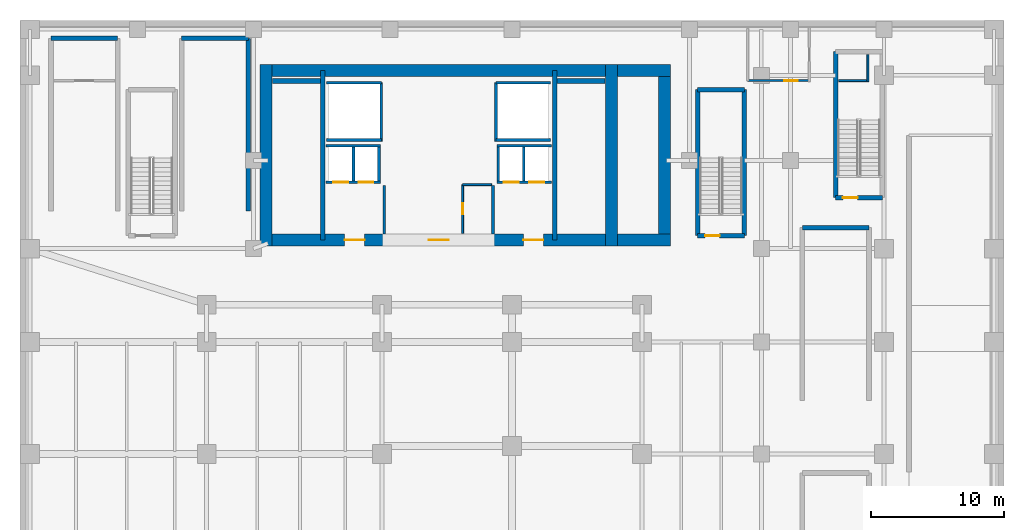
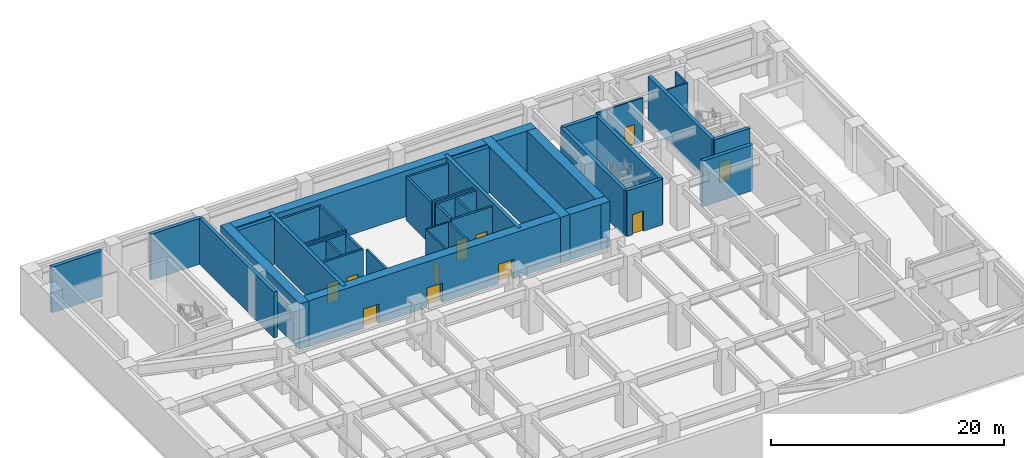
# One storey, part 4 of 8: 42 walls, 11 doors, 11 openings.
"""IFC4 building model written with IfcOpenShell, lengths in metres."""

from ifc_helpers import new_model, si_unit, direction, frame, frame_2d, origin, place, context, subcontext, project, spatial, rectangle, extrude, source, transform, mapped, material, layer, layer_set, type_object, type_shapes, element, fill, save


model = new_model("IFC4")

# Units and contexts
model_context = context("Model", 3, precision=1e-05, world=origin(), true_north=direction((0.0, 1.0)))
body_context = subcontext(model_context, "Body", "Model", "MODEL_VIEW")
ifc_project = project(units=[si_unit("LENGTHUNIT", "METRE"), si_unit("AREAUNIT", "SQUARE_METRE"), si_unit("VOLUMEUNIT", "CUBIC_METRE"), si_unit("PLANEANGLEUNIT", "RADIAN"), si_unit("MASSUNIT", "GRAM", prefix="KILO")], contexts=[model_context])

# Site, building, storey
site_placement = place(None, origin())
site = spatial("IfcSite", under=ifc_project, at=site_placement, CompositionType="ELEMENT")
building_placement = place(site_placement, origin())
building = spatial("IfcBuilding", under=site, at=building_placement, Name="Tolvann Quenvar Hotel", CompositionType="ELEMENT")
storey_placement = place(building_placement, frame((0.0, 0.0, -9.60009765625)))
storey = spatial("IfcBuildingStorey", under=building, at=storey_placement, Name="B02", CompositionType="ELEMENT", Elevation=-9.60009765625)

# Wall, openings, doors
ifc_material_1 = material(Name="Concrete S80 (80 MPa)", Category="concrete")
ifc_layer_1 = layer(ifc_material_1, 0.89990234375)
ifc_layer_set_1 = layer_set([ifc_layer_1], Name="Concrete S80 (80 MPa)")
wall_type_1 = type_object("IfcWallType", Name="WALL_CORE_900", PredefinedType="SHEAR", material=ifc_layer_set_1)
wall_1_placement = place(storey_placement, frame((9.60009765625, 32.050048828125, 0.0), z_axis=(0.0, 0.0, 1.0), x_axis=(1.0, 0.0, 0.0)))
wall_1 = element("IfcWall", 1, at=wall_1_placement, inside=storey, type_object=wall_type_1, Name="Rear Core S Shear Wall (B02)", PredefinedType="SHEAR", context=body_context, shape_type="SweptSolid", body=[
    extrude(rectangle(XDim=26.7998046875, YDim=0.89990234375, at=frame_2d((13.39990234375, 0.0))), origin(), (0.0, 0.0, 1.0), 4.800048828125),
])
opening_1_placement = place(wall_1_placement, frame((7.85009765625, 0.0, 0.0), z_axis=(0.0, 0.0, 1.0), x_axis=(-1.0, 0.0, 0.0)))
opening_1 = element("IfcOpeningElement", 2, at=opening_1_placement, cuts=wall_1, Name="Opening FD-60D", PredefinedType="OPENING", context=body_context, shape_type="SweptSolid", body=[
    extrude(rectangle(XDim=1.5, YDim=2.0400390625, at=frame_2d((0.75, 1.02001953125))), frame((0.0, 0.4599609375, 0.0), z_axis=(0.0, -1.0, 0.0), x_axis=(1.0, 0.0, 0.0)), (0.0, 0.0, 1.0), 0.919921875),
])
opening_2_placement = place(wall_1_placement, frame((14.14990234375, 0.0, 0.0), z_axis=(0.0, 0.0, 1.0), x_axis=(-1.0, 0.0, 0.0)))
opening_2 = element("IfcOpeningElement", 3, at=opening_2_placement, cuts=wall_1, Name="Opening FD-60D", PredefinedType="OPENING", context=body_context, shape_type="SweptSolid", body=[
    extrude(rectangle(XDim=1.5, YDim=2.0400390625, at=frame_2d((0.75, 1.02001953125))), frame((0.0, 0.4599609375, 0.0), z_axis=(0.0, -1.0, 0.0), x_axis=(1.0, 0.0, 0.0)), (0.0, 0.0, 1.0), 0.919921875),
])
opening_3_placement = place(wall_1_placement, frame((21.25, 0.0, 0.0), z_axis=(0.0, 0.0, 1.0), x_axis=(-1.0, 0.0, 0.0)))
opening_3 = element("IfcOpeningElement", 4, at=opening_3_placement, cuts=wall_1, Name="Opening FD-60D", PredefinedType="OPENING", context=body_context, shape_type="SweptSolid", body=[
    extrude(rectangle(XDim=1.5, YDim=2.0400390625, at=frame_2d((0.75, 1.02001953125))), frame((0.0, 0.4599609375, 0.0), z_axis=(0.0, -1.0, 0.0), x_axis=(1.0, 0.0, 0.0)), (0.0, 0.0, 1.0), 0.919921875),
])
ifc_material_2 = material(Name="Solid-core American oak acoustic fire door leaf in steel frame", Category="steel")
door_type_1 = type_object("IfcDoorType", Name="DOOR_FIRE_LOBBY_1500", OperationType="NOTDEFINED", PredefinedType="DOOR", material=ifc_material_2)
shared_shape_1 = source(origin(), body_context, "Body", "SweptSolid", [
    extrude(rectangle(XDim=1.5, YDim=2.0400390625, at=frame_2d((0.75, 1.02001953125))), frame((0.0, 0.02490234375, 0.0), z_axis=(0.0, -1.0, 0.0), x_axis=(1.0, 0.0, 0.0)), (0.0, 0.0, 1.0), 0.050048828125),
])
type_shapes(door_type_1, [shared_shape_1])
door_1_placement = place(opening_1_placement, origin())
door_1 = element("IfcDoor", 5, at=door_1_placement, inside=storey, type_object=door_type_1, Name="Core Lobby Fire Door FFW (B02)", OperationType="DOUBLE_DOOR_SINGLE_SWING", OverallHeight=2.0400390625, OverallWidth=1.5, PredefinedType="DOOR", context=body_context, shape_type="MappedRepresentation", body=[
    mapped(shared_shape_1, transform((0.0, 0.0, 0.0), x_axis=(1.0, 0.0, 0.0), y_axis=(0.0, 1.0, 0.0), z_axis=(0.0, 0.0, 1.0), scale=1.0)),
])
fill(opening_1, door_1)
door_2_placement = place(opening_2_placement, origin())
door_2 = element("IfcDoor", 6, at=door_2_placement, inside=storey, type_object=door_type_1, Name="Core Lobby Fire Door CLOB (B02)", OperationType="DOUBLE_DOOR_SINGLE_SWING", OverallHeight=2.0400390625, OverallWidth=1.5, PredefinedType="DOOR", context=body_context, shape_type="MappedRepresentation", body=[
    mapped(shared_shape_1, transform((0.0, 0.0, 0.0), x_axis=(1.0, 0.0, 0.0), y_axis=(0.0, 1.0, 0.0), z_axis=(0.0, 0.0, 1.0), scale=1.0)),
])
fill(opening_2, door_2)
door_3_placement = place(opening_3_placement, origin())
door_3 = element("IfcDoor", 7, at=door_3_placement, inside=storey, type_object=door_type_1, Name="Core Lobby Fire Door FFE (B02)", OperationType="DOUBLE_DOOR_SINGLE_SWING", OverallHeight=2.0400390625, OverallWidth=1.5, PredefinedType="DOOR", context=body_context, shape_type="MappedRepresentation", body=[
    mapped(shared_shape_1, transform((0.0, 0.0, 0.0), x_axis=(1.0, 0.0, 0.0), y_axis=(0.0, 1.0, 0.0), z_axis=(0.0, 0.0, 1.0), scale=1.0)),
])
fill(opening_3, door_3)

# Walls
wall_2_placement = place(storey_placement, frame((9.60009765625, 44.75, 0.0), z_axis=(0.0, 0.0, 1.0), x_axis=(1.0, 0.0, 0.0)))
element("IfcWall", 8, at=wall_2_placement, inside=storey, type_object=wall_type_1, Name="Rear Core N Shear Wall (B02)", PredefinedType="SHEAR", context=body_context, shape_type="SweptSolid", body=[
    extrude(rectangle(XDim=26.7998046875, YDim=0.89990234375, at=frame_2d((13.39990234375, 0.0))), origin(), (0.0, 0.0, 1.0), 4.800048828125),
])
for number, where, z_axis, x_axis, name in (
    (9, (10.050048828125, 31.60009765625, 0.0), (0.0, 0.0, 1.0), (0.0, 1.0, 0.0), "Rear Core W Shear Wall (B02)"),
    (10, (35.949951171875, 31.60009765625, 0.0), (0.0, 0.0, 1.0), (0.0, 1.0, 0.0), "Rear Core E Shear Wall (B02)"),
):
    element("IfcWall", number, at=place(storey_placement, frame(where, z_axis=z_axis, x_axis=x_axis)), inside=storey, type_object=wall_type_1, Name=name, PredefinedType="SHEAR", context=body_context, shape_type="SweptSolid", body=[
        extrude(rectangle(XDim=13.599853515625, YDim=0.89990234375, at=frame_2d((6.7998046875, 0.0))), origin(), (0.0, 0.0, 1.0), 4.800048828125),
    ])
for number, where, z_axis, x_axis, name in (
    (11, (36.39990234375, 32.050048828125, 0.0), (0.0, 0.0, 1.0), (1.0, 0.0, 0.0), "Core East Annex Shear Wall ANN-S (B02)"),
    (12, (36.39990234375, 44.75, 0.0), (0.0, 0.0, 1.0), (1.0, 0.0, 0.0), "Core East Annex Shear Wall ANN-N (B02)"),
):
    element("IfcWall", number, at=place(storey_placement, frame(where, z_axis=z_axis, x_axis=x_axis)), inside=storey, type_object=wall_type_1, Name=name, PredefinedType="SHEAR", context=body_context, shape_type="SweptSolid", body=[
        extrude(rectangle(XDim=4.0, YDim=0.89990234375, at=frame_2d((2.0, 0.0))), origin(), (0.0, 0.0, 1.0), 4.800048828125),
    ])
wall_3_placement = place(storey_placement, frame((39.949951171875, 31.60009765625, 0.0), z_axis=(0.0, 0.0, 1.0), x_axis=(0.0, 1.0, 0.0)))
element("IfcWall", 13, at=wall_3_placement, inside=storey, type_object=wall_type_1, Name="Core East Annex Shear Wall ANN-E (B02)", PredefinedType="SHEAR", context=body_context, shape_type="SweptSolid", body=[
    extrude(rectangle(XDim=13.599853515625, YDim=0.89990234375, at=frame_2d((6.7998046875, 0.0))), origin(), (0.0, 0.0, 1.0), 4.800048828125),
])
ifc_material_3 = material(Name="Concrete S65 (65 MPa)", Category="concrete")
ifc_layer_2 = layer(ifc_material_3, 0.35009765625)
ifc_layer_set_2 = layer_set([ifc_layer_2], Name="Concrete S65 (65 MPa)")
wall_type_2 = type_object("IfcWallType", Name="WALL_CORE_INT_350", PredefinedType="SHEAR", material=ifc_layer_set_2)
for number, where, z_axis, x_axis, name in (
    (14, (14.300048828125, 32.050048828125, 0.0), (0.0, 0.0, 1.0), (0.0, 1.0, 0.0), "Core Internal Web Shear Wall WEB-W (B02)"),
    (15, (31.699951171875, 32.050048828125, 0.0), (0.0, 0.0, 1.0), (0.0, 1.0, 0.0), "Core Internal Web Shear Wall WEB-E (B02)"),
):
    element("IfcWall", number, at=place(storey_placement, frame(where, z_axis=z_axis, x_axis=x_axis)), inside=storey, type_object=wall_type_2, Name=name, PredefinedType="SHEAR", context=body_context, shape_type="SweptSolid", body=[
        extrude(rectangle(XDim=12.699951171875, YDim=0.35009765625, at=frame_2d((6.35009765625, 0.0))), origin(), (0.0, 0.0, 1.0), 4.800048828125),
    ])
for number, where, z_axis, x_axis, name in (
    (16, (10.52001953125, 43.97509765625, 0.0), (0.0, 0.0, 1.0), (1.0, 0.0, 0.0), "Core Stair North Closing Shear Wall STC1-N (B02)"),
    (17, (31.8798828125, 43.97509765625, 0.0), (0.0, 0.0, 1.0), (1.0, 0.0, 0.0), "Core Stair North Closing Shear Wall STC2-N (B02)"),
):
    element("IfcWall", number, at=place(storey_placement, frame(where, z_axis=z_axis, x_axis=x_axis)), inside=storey, type_object=wall_type_2, Name=name, PredefinedType="SHEAR", context=body_context, shape_type="SweptSolid", body=[
        extrude(rectangle(XDim=3.60009765625, YDim=0.35009765625, at=frame_2d((1.800048828125, 0.0))), origin(), (0.0, 0.0, 1.0), 4.800048828125),
    ])

# Wall, opening, door
wall_4_placement = place(storey_placement, frame((42.425048828125, 32.375, 0.0), z_axis=(0.0, 0.0, 1.0), x_axis=(1.0, 0.0, 0.0)))
wall_4 = element("IfcWall", 18, at=wall_4_placement, inside=storey, type_object=wall_type_2, Name="Stairwell ST-B2 Structural Shaft Wall S (B02)", PredefinedType="SHEAR", context=body_context, shape_type="SweptSolid", body=[
    extrude(rectangle(XDim=3.5, YDim=0.35009765625, at=frame_2d((1.75, 0.0))), origin(), (0.0, 0.0, 1.0), 4.800048828125),
])
opening_4_placement = place(wall_4_placement, frame((0.550048828125, 0.0, 0.0)))
opening_4 = element("IfcOpeningElement", 19, at=opening_4_placement, cuts=wall_4, Name="Opening FD-120", PredefinedType="OPENING", context=body_context, shape_type="SweptSolid", body=[
    extrude(rectangle(XDim=1.10009765625, YDim=2.1201171875, at=frame_2d((0.550048828125, 1.06005859375))), frame((0.0, 0.18505859375, 0.0), z_axis=(0.0, -1.0, 0.0), x_axis=(1.0, 0.0, 0.0)), (0.0, 0.0, 1.0), 0.3701171875),
])
ifc_material_4 = material(Name="Pressed galvanised steel fire-rated door set", Category="steel")
door_type_2 = type_object("IfcDoorType", Name="DOOR_FIRE_STAIR_1100", OperationType="NOTDEFINED", PredefinedType="DOOR", material=ifc_material_4)
shared_shape_2 = source(origin(), body_context, "Body", "SweptSolid", [
    extrude(rectangle(XDim=1.10009765625, YDim=2.1201171875, at=frame_2d((0.550048828125, 1.06005859375))), frame((0.0, 0.02490234375, 0.0), z_axis=(0.0, -1.0, 0.0), x_axis=(1.0, 0.0, 0.0)), (0.0, 0.0, 1.0), 0.050048828125),
])
type_shapes(door_type_2, [shared_shape_2])
door_4_placement = place(opening_4_placement, origin())
door_4 = element("IfcDoor", 20, at=door_4_placement, inside=storey, type_object=door_type_2, Name="Exit Stair ST-B2 Fire Door (B02)", OperationType="SINGLE_SWING_LEFT", OverallHeight=2.1201171875, OverallWidth=1.10009765625, PredefinedType="DOOR", context=body_context, shape_type="MappedRepresentation", body=[
    mapped(shared_shape_2, transform((0.0, 0.0, 0.0), x_axis=(1.0, 0.0, 0.0), y_axis=(0.0, 1.0, 0.0), z_axis=(0.0, 0.0, 1.0), scale=1.0)),
])
fill(opening_4, door_4)

# Walls
wall_5_placement = place(storey_placement, frame((45.925048828125, 32.375, 0.0), z_axis=(0.0, 0.0, 1.0), x_axis=(0.0, 1.0, 0.0)))
element("IfcWall", 21, at=wall_5_placement, inside=storey, type_object=wall_type_2, Name="Stairwell ST-B2 Structural Shaft Wall E (B02)", PredefinedType="SHEAR", context=body_context, shape_type="SweptSolid", body=[
    extrude(rectangle(XDim=10.949951171875, YDim=0.35009765625, at=frame_2d((5.47509765625, 0.0))), origin(), (0.0, 0.0, 1.0), 4.800048828125),
])
wall_6_placement = place(storey_placement, frame((45.925048828125, 43.324951171875, 0.0), z_axis=(0.0, 0.0, 1.0), x_axis=(-1.0, 0.0, 0.0)))
element("IfcWall", 22, at=wall_6_placement, inside=storey, type_object=wall_type_2, Name="Stairwell ST-B2 Structural Shaft Wall N (B02)", PredefinedType="SHEAR", context=body_context, shape_type="SweptSolid", body=[
    extrude(rectangle(XDim=3.5, YDim=0.35009765625, at=frame_2d((1.75, 0.0))), origin(), (0.0, 0.0, 1.0), 4.800048828125),
])
wall_7_placement = place(storey_placement, frame((42.425048828125, 43.324951171875, 0.0), z_axis=(0.0, 0.0, 1.0), x_axis=(0.0, -1.0, 0.0)))
element("IfcWall", 23, at=wall_7_placement, inside=storey, type_object=wall_type_2, Name="Stairwell ST-B2 Structural Shaft Wall W (B02)", PredefinedType="SHEAR", context=body_context, shape_type="SweptSolid", body=[
    extrude(rectangle(XDim=10.949951171875, YDim=0.35009765625, at=frame_2d((5.47509765625, 0.0))), origin(), (0.0, 0.0, 1.0), 4.800048828125),
])

# Wall, opening, door
wall_8_placement = place(storey_placement, frame((52.77490234375, 35.22509765625, 0.0), z_axis=(0.0, 0.0, 1.0), x_axis=(1.0, 0.0, 0.0)))
wall_8 = element("IfcWall", 24, at=wall_8_placement, inside=storey, type_object=wall_type_2, Name="Stairwell ST-B3 Structural Shaft Wall S (B02)", PredefinedType="SHEAR", context=body_context, shape_type="SweptSolid", body=[
    extrude(rectangle(XDim=3.5, YDim=0.35009765625, at=frame_2d((1.75, 0.0))), origin(), (0.0, 0.0, 1.0), 4.800048828125),
])
opening_5_placement = place(wall_8_placement, frame((0.550048828125, 0.0, 0.0)))
opening_5 = element("IfcOpeningElement", 25, at=opening_5_placement, cuts=wall_8, Name="Opening FD-120", PredefinedType="OPENING", context=body_context, shape_type="SweptSolid", body=[
    extrude(rectangle(XDim=1.10009765625, YDim=2.1201171875, at=frame_2d((0.550048828125, 1.06005859375))), frame((0.0, 0.18505859375, 0.0), z_axis=(0.0, -1.0, 0.0), x_axis=(1.0, 0.0, 0.0)), (0.0, 0.0, 1.0), 0.3701171875),
])
door_5_placement = place(opening_5_placement, origin())
door_5 = element("IfcDoor", 26, at=door_5_placement, inside=storey, type_object=door_type_2, Name="Exit Stair ST-B3 Fire Door (B02)", OperationType="SINGLE_SWING_RIGHT", OverallHeight=2.1201171875, OverallWidth=1.10009765625, PredefinedType="DOOR", context=body_context, shape_type="MappedRepresentation", body=[
    mapped(shared_shape_2, transform((0.0, 0.0, 0.0), x_axis=(1.0, 0.0, 0.0), y_axis=(0.0, 1.0, 0.0), z_axis=(0.0, 0.0, 1.0), scale=1.0)),
])
fill(opening_5, door_5)

# Walls
wall_9_placement = place(storey_placement, frame((52.77490234375, 46.175048828125, 0.0), z_axis=(0.0, 0.0, 1.0), x_axis=(0.0, -1.0, 0.0)))
element("IfcWall", 27, at=wall_9_placement, inside=storey, type_object=wall_type_2, Name="Stairwell ST-B3 Structural Shaft Wall W (B02)", PredefinedType="SHEAR", context=body_context, shape_type="SweptSolid", body=[
    extrude(rectangle(XDim=10.949951171875, YDim=0.35009765625, at=frame_2d((5.47509765625, 0.0))), origin(), (0.0, 0.0, 1.0), 4.800048828125),
])
wall_10_placement = place(storey_placement, frame((-1.074951171875, 47.175048828125, 0.0), z_axis=(0.0, 0.0, 1.0), x_axis=(-1.0, 0.0, 0.0)))
element("IfcWall", 28, at=wall_10_placement, inside=storey, type_object=wall_type_2, Name="Stairwell ST-P1 Structural Shaft Wall N (B02)", PredefinedType="SHEAR", context=body_context, shape_type="SweptSolid", body=[
    extrude(rectangle(XDim=5.0, YDim=0.35009765625, at=frame_2d((2.5, 0.0))), origin(), (0.0, 0.0, 1.0), 4.800048828125),
])
wall_11_placement = place(storey_placement, frame((8.72509765625, 34.22509765625, 0.0), z_axis=(0.0, 0.0, 1.0), x_axis=(0.0, 1.0, 0.0)))
element("IfcWall", 29, at=wall_11_placement, inside=storey, type_object=wall_type_2, Name="Stairwell ST-P2 Structural Shaft Wall E (B02)", PredefinedType="SHEAR", context=body_context, shape_type="SweptSolid", body=[
    extrude(rectangle(XDim=12.949951171875, YDim=0.35009765625, at=frame_2d((6.47509765625, 0.0))), origin(), (0.0, 0.0, 1.0), 4.800048828125),
])
for number, where, z_axis, x_axis, name in (
    (30, (8.72509765625, 47.175048828125, 0.0), (0.0, 0.0, 1.0), (-1.0, 0.0, 0.0), "Stairwell ST-P2 Structural Shaft Wall N (B02)"),
    (31, (55.27490234375, 32.97509765625, 0.0), (0.0, 0.0, 1.0), (-1.0, 0.0, 0.0), "Stairwell ST-P4 Structural Shaft Wall N (B02)"),
):
    element("IfcWall", number, at=place(storey_placement, frame(where, z_axis=z_axis, x_axis=x_axis)), inside=storey, type_object=wall_type_2, Name=name, PredefinedType="SHEAR", context=body_context, shape_type="SweptSolid", body=[
        extrude(rectangle(XDim=5.0, YDim=0.35009765625, at=frame_2d((2.5, 0.0))), origin(), (0.0, 0.0, 1.0), 4.800048828125),
    ])
ifc_material_5 = material(Name="Acoustic twin-stud fire-rated gypsum plasterboard partition")
ifc_layer_3 = layer(ifc_material_5, 0.14990234375)
ifc_layer_set_3 = layer_set([ifc_layer_3], Name="Acoustic twin-stud fire-rated gypsum plasterboard partition")
wall_type_3 = type_object("IfcWallType", Name="WALL_PART_SUITE_150", PredefinedType="PARTITIONING", material=ifc_layer_set_3)
wall_12_placement = place(storey_placement, frame((24.800048828125, 36.199951171875, 0.0), z_axis=(0.0, 0.0, 1.0), x_axis=(1.0, 0.0, 0.0)))
element("IfcWall", 32, at=wall_12_placement, inside=storey, type_object=wall_type_3, Name="Interior Partition PT-SPC-B02-CSE-1-N", PredefinedType="PARTITIONING", context=body_context, shape_type="SweptSolid", body=[
    extrude(rectangle(XDim=2.179931640625, YDim=0.14990234375, at=frame_2d((1.08984375, 0.0))), origin(), (0.0, 0.0, 1.0), 4.5400390625),
])

# Wall, opening, door
wall_13_placement = place(storey_placement, frame((24.800048828125, 32.554931640625, 0.0), z_axis=(0.0, 0.0, 1.0), x_axis=(0.0, 1.0, 0.0)))
wall_13 = element("IfcWall", 33, at=wall_13_placement, inside=storey, type_object=wall_type_3, Name="Interior Partition PT-SPC-B02-CSE-1-W", PredefinedType="PARTITIONING", context=body_context, shape_type="SweptSolid", body=[
    extrude(rectangle(XDim=3.64501953125, YDim=0.14990234375, at=frame_2d((1.822509765625, 0.0))), origin(), (0.0, 0.0, 1.0), 4.5400390625),
])
opening_6_placement = place(wall_13_placement, frame((1.41259765625, 0.0, 0.0)))
opening_6 = element("IfcOpeningElement", 34, at=opening_6_placement, cuts=wall_13, Name="Opening HD-02", PredefinedType="OPENING", context=body_context, shape_type="SweptSolid", body=[
    extrude(rectangle(XDim=0.820068359375, YDim=2.010009765625, at=frame_2d((0.41015625, 1.0048828125))), frame((0.0, 0.0849609375, 0.0), z_axis=(0.0, -1.0, 0.0), x_axis=(1.0, 0.0, 0.0)), (0.0, 0.0, 1.0), 0.169921875),
])
door_type_3 = type_object("IfcDoorType", Name="DOOR_STORE_820", OperationType="NOTDEFINED", PredefinedType="DOOR", material=ifc_material_4)
shared_shape_3 = source(origin(), body_context, "Body", "SweptSolid", [
    extrude(rectangle(XDim=0.820068359375, YDim=2.010009765625, at=frame_2d((0.41015625, 1.0048828125))), frame((0.0, 0.02490234375, 0.0), z_axis=(0.0, -1.0, 0.0), x_axis=(1.0, 0.0, 0.0)), (0.0, 0.0, 1.0), 0.050048828125),
])
type_shapes(door_type_3, [shared_shape_3])
door_6_placement = place(opening_6_placement, origin())
door_6 = element("IfcDoor", 35, at=door_6_placement, inside=storey, type_object=door_type_3, Name="Interior Door DOOR-SPC-B02-CSE-1", OperationType="SINGLE_SWING_LEFT", OverallHeight=2.010009765625, OverallWidth=0.820068359375, PredefinedType="DOOR", context=body_context, shape_type="MappedRepresentation", body=[
    mapped(shared_shape_3, transform((0.0, 0.0, 0.0), x_axis=(1.0, 0.0, 0.0), y_axis=(0.0, 1.0, 0.0), z_axis=(0.0, 0.0, 1.0), scale=1.0)),
])
fill(opening_6, door_6)

wall_14_placement = place(storey_placement, frame((46.179931640625, 44.0, 0.0), z_axis=(0.0, 0.0, 1.0), x_axis=(1.0, 0.0, 0.0)))
wall_14 = element("IfcWall", 36, at=wall_14_placement, inside=storey, type_object=wall_type_3, Name="Interior Partition PT-SPC-B02-LOCK-S", PredefinedType="PARTITIONING", context=body_context, shape_type="SweptSolid", body=[
    extrude(rectangle(XDim=4.6201171875, YDim=0.14990234375, at=frame_2d((2.31005859375, 0.0))), origin(), (0.0, 0.0, 1.0), 4.5400390625),
])
opening_7_placement = place(wall_14_placement, frame((2.75, 0.0, 0.0)))
opening_7 = element("IfcOpeningElement", 37, at=opening_7_placement, cuts=wall_14, Name="Opening HD-01", PredefinedType="OPENING", context=body_context, shape_type="SweptSolid", body=[
    extrude(rectangle(XDim=1.02001953125, YDim=2.030029296875, at=frame_2d((0.510009765625, 1.01513671875))), frame((0.0, 0.0849609375, 0.0), z_axis=(0.0, -1.0, 0.0), x_axis=(1.0, 0.0, 0.0)), (0.0, 0.0, 1.0), 0.169921875),
])
door_type_4 = type_object("IfcDoorType", Name="DOOR_BOH_1020", OperationType="NOTDEFINED", PredefinedType="DOOR", material=ifc_material_4)
shared_shape_4 = source(origin(), body_context, "Body", "SweptSolid", [
    extrude(rectangle(XDim=1.02001953125, YDim=2.030029296875, at=frame_2d((0.510009765625, 1.01513671875))), frame((0.0, 0.02490234375, 0.0), z_axis=(0.0, -1.0, 0.0), x_axis=(1.0, 0.0, 0.0)), (0.0, 0.0, 1.0), 0.050048828125),
])
type_shapes(door_type_4, [shared_shape_4])
door_7_placement = place(opening_7_placement, origin())
door_7 = element("IfcDoor", 38, at=door_7_placement, inside=storey, type_object=door_type_4, Name="Interior Door DOOR-SPC-B02-LOCK", OperationType="SINGLE_SWING_RIGHT", OverallHeight=2.030029296875, OverallWidth=1.02001953125, PredefinedType="DOOR", context=body_context, shape_type="MappedRepresentation", body=[
    mapped(shared_shape_4, transform((0.0, 0.0, 0.0), x_axis=(1.0, 0.0, 0.0), y_axis=(0.0, 1.0, 0.0), z_axis=(0.0, 0.0, 1.0), scale=1.0)),
])
fill(opening_7, door_7)

# Walls
wall_15_placement = place(storey_placement, frame((53.0048828125, 44.0, 0.0), z_axis=(0.0, 0.0, 1.0), x_axis=(1.0, 0.0, 0.0)))
element("IfcWall", 39, at=wall_15_placement, inside=storey, type_object=wall_type_3, Name="Interior Partition PT-SPC-B02-WC-S", PredefinedType="PARTITIONING", context=body_context, shape_type="SweptSolid", body=[
    extrude(rectangle(XDim=2.26513671875, YDim=0.14990234375, at=frame_2d((1.132568359375, 0.0))), origin(), (0.0, 0.0, 1.0), 4.5400390625),
])
wall_16_placement = place(storey_placement, frame((55.199951171875, 43.929931640625, 0.0), z_axis=(0.0, 0.0, 1.0), x_axis=(0.0, 1.0, 0.0)))
element("IfcWall", 40, at=wall_16_placement, inside=storey, type_object=wall_type_3, Name="Interior Partition PT-SPC-B02-WC-E", PredefinedType="PARTITIONING", context=body_context, shape_type="SweptSolid", body=[
    extrude(rectangle(XDim=2.01513671875, YDim=0.14990234375, at=frame_2d((1.007568359375, 0.0))), origin(), (0.0, 0.0, 1.0), 4.5400390625),
])
ifc_material_6 = material(Name="Concrete N40 (40 MPa)", Category="concrete")
ifc_layer_4 = layer(ifc_material_6, 0.199951171875)
ifc_layer_set_4 = layer_set([ifc_layer_4], Name="Concrete N40 (40 MPa)")
wall_type_4 = type_object("IfcWallType", Name="WALL_SHAFT_200", PredefinedType="SOLIDWALL", material=ifc_layer_set_4)
wall_17_placement = place(storey_placement, frame((18.699951171875, 39.449951171875, 0.0), z_axis=(0.0, 0.0, 1.0), x_axis=(0.0, 1.0, 0.0)))
element("IfcWall", 41, at=wall_17_placement, inside=storey, type_object=wall_type_4, Name="Service Riser W Shaft Wall IN (B02)", PredefinedType="SOLIDWALL", context=body_context, shape_type="SweptSolid", body=[
    extrude(rectangle(XDim=4.400146484375, YDim=0.199951171875, at=frame_2d((2.2001953125, 0.0))), origin(), (0.0, 0.0, 1.0), 4.5400390625),
])
for number, where, z_axis, x_axis, name in (
    (42, (14.60009765625, 39.550048828125, 0.0), (0.0, 0.0, 1.0), (1.0, 0.0, 0.0), "Service Riser W Shaft Wall S (B02)"),
    (43, (14.60009765625, 43.85009765625, 0.0), (0.0, 0.0, 1.0), (1.0, 0.0, 0.0), "Service Riser W Shaft Wall N (B02)"),
):
    element("IfcWall", number, at=place(storey_placement, frame(where, z_axis=z_axis, x_axis=x_axis)), inside=storey, type_object=wall_type_4, Name=name, PredefinedType="SOLIDWALL", context=body_context, shape_type="SweptSolid", body=[
        extrude(rectangle(XDim=4.099853515625, YDim=0.199951171875, at=frame_2d((2.0498046875, 0.0))), origin(), (0.0, 0.0, 1.0), 4.5400390625),
    ])
wall_18_placement = place(storey_placement, frame((27.300048828125, 39.449951171875, 0.0), z_axis=(0.0, 0.0, 1.0), x_axis=(0.0, 1.0, 0.0)))
element("IfcWall", 44, at=wall_18_placement, inside=storey, type_object=wall_type_4, Name="Service Riser E Shaft Wall IN (B02)", PredefinedType="SOLIDWALL", context=body_context, shape_type="SweptSolid", body=[
    extrude(rectangle(XDim=4.400146484375, YDim=0.199951171875, at=frame_2d((2.2001953125, 0.0))), origin(), (0.0, 0.0, 1.0), 4.5400390625),
])
for number, where, z_axis, x_axis, name in (
    (45, (27.300048828125, 39.550048828125, 0.0), (0.0, 0.0, 1.0), (1.0, 0.0, 0.0), "Service Riser E Shaft Wall S (B02)"),
    (46, (27.300048828125, 43.85009765625, 0.0), (0.0, 0.0, 1.0), (1.0, 0.0, 0.0), "Service Riser E Shaft Wall N (B02)"),
):
    element("IfcWall", number, at=place(storey_placement, frame(where, z_axis=z_axis, x_axis=x_axis)), inside=storey, type_object=wall_type_4, Name=name, PredefinedType="SOLIDWALL", context=body_context, shape_type="SweptSolid", body=[
        extrude(rectangle(XDim=4.099853515625, YDim=0.199951171875, at=frame_2d((2.0498046875, 0.0))), origin(), (0.0, 0.0, 1.0), 4.5400390625),
    ])
for number, where, z_axis, x_axis, name in (
    (47, (18.919921875, 32.50390625, 0.0), (0.0, 0.0, 1.0), (0.0, 1.0, 0.0), "Firefighting Lobby W Inner Fire Wall (B02)"),
    (48, (27.080078125, 32.50390625, 0.0), (0.0, 0.0, 1.0), (0.0, 1.0, 0.0), "Firefighting Lobby E Inner Fire Wall (B02)"),
):
    element("IfcWall", number, at=place(storey_placement, frame(where, z_axis=z_axis, x_axis=x_axis)), inside=storey, type_object=wall_type_4, Name=name, PredefinedType="SOLIDWALL", context=body_context, shape_type="SweptSolid", body=[
        extrude(rectangle(XDim=3.64599609375, YDim=0.199951171875, at=frame_2d((1.822998046875, 0.0))), origin(), (0.0, 0.0, 1.0), 4.5400390625),
    ])

# Wall, openings, doors
wall_19_placement = place(storey_placement, frame((27.375, 36.3798828125, 0.0), z_axis=(0.0, 0.0, 1.0), x_axis=(1.0, 0.0, 0.0)))
wall_19 = element("IfcWall", 49, at=wall_19_placement, inside=storey, type_object=wall_type_4, Name="Lift Bank SEC1 Hoistway Front Wall (B02)", PredefinedType="SOLIDWALL", context=body_context, shape_type="SweptSolid", body=[
    extrude(rectangle(XDim=4.074951171875, YDim=0.199951171875, at=frame_2d((2.03759765625, 0.0))), origin(), (0.0, 0.0, 1.0), 4.5400390625),
])
opening_8_placement = place(wall_19_placement, frame((0.52490234375, 0.0, 0.0)))
opening_8 = element("IfcOpeningElement", 50, at=opening_8_placement, cuts=wall_19, Name="Opening LD-01", PredefinedType="OPENING", context=body_context, shape_type="SweptSolid", body=[
    extrude(rectangle(XDim=1.10009765625, YDim=2.1201171875, at=frame_2d((0.550048828125, 1.06005859375))), frame((0.0, 0.10986328125, 0.0), z_axis=(0.0, -1.0, 0.0), x_axis=(1.0, 0.0, 0.0)), (0.0, 0.0, 1.0), 0.219970703125),
])
opening_9_placement = place(wall_19_placement, frame((2.425048828125, 0.0, 0.0)))
opening_9 = element("IfcOpeningElement", 51, at=opening_9_placement, cuts=wall_19, Name="Opening LD-01", PredefinedType="OPENING", context=body_context, shape_type="SweptSolid", body=[
    extrude(rectangle(XDim=1.10009765625, YDim=2.1201171875, at=frame_2d((0.550048828125, 1.06005859375))), frame((0.0, 0.10986328125, 0.0), z_axis=(0.0, -1.0, 0.0), x_axis=(1.0, 0.0, 0.0)), (0.0, 0.0, 1.0), 0.219970703125),
])
ifc_material_7 = material(Name="Brushed 316 stainless steel automatic sliding lift landing door", Category="steel")
door_type_5 = type_object("IfcDoorType", Name="DOOR_LIFT_SLIDE_1100", OperationType="NOTDEFINED", PredefinedType="DOOR", material=ifc_material_7)
shared_shape_5 = source(origin(), body_context, "Body", "SweptSolid", [
    extrude(rectangle(XDim=1.10009765625, YDim=2.1201171875, at=frame_2d((0.550048828125, 1.06005859375))), frame((0.0, 0.02490234375, 0.0), z_axis=(0.0, -1.0, 0.0), x_axis=(1.0, 0.0, 0.0)), (0.0, 0.0, 1.0), 0.050048828125),
])
type_shapes(door_type_5, [shared_shape_5])
door_8_placement = place(opening_8_placement, origin())
door_8 = element("IfcDoor", 52, at=door_8_placement, inside=storey, type_object=door_type_5, Name="Lift SV-2 Sliding Landing Door (B02)", OperationType="SLIDING_TO_LEFT", OverallHeight=2.1201171875, OverallWidth=1.10009765625, PredefinedType="DOOR", context=body_context, shape_type="MappedRepresentation", body=[
    mapped(shared_shape_5, transform((0.0, 0.0, 0.0), x_axis=(1.0, 0.0, 0.0), y_axis=(0.0, 1.0, 0.0), z_axis=(0.0, 0.0, 1.0), scale=1.0)),
])
fill(opening_8, door_8)
door_9_placement = place(opening_9_placement, origin())
door_9 = element("IfcDoor", 53, at=door_9_placement, inside=storey, type_object=door_type_5, Name="Lift FF-2 Sliding Landing Door (B02)", OperationType="SLIDING_TO_RIGHT", OverallHeight=2.1201171875, OverallWidth=1.10009765625, PredefinedType="DOOR", context=body_context, shape_type="MappedRepresentation", body=[
    mapped(shared_shape_5, transform((0.0, 0.0, 0.0), x_axis=(1.0, 0.0, 0.0), y_axis=(0.0, 1.0, 0.0), z_axis=(0.0, 0.0, 1.0), scale=1.0)),
])
fill(opening_9, door_9)

# Walls
wall_20_placement = place(storey_placement, frame((27.375, 39.1201171875, 0.0), z_axis=(0.0, 0.0, 1.0), x_axis=(1.0, 0.0, 0.0)))
element("IfcWall", 54, at=wall_20_placement, inside=storey, type_object=wall_type_4, Name="Lift Bank SEC1 Hoistway Rear Wall (B02)", PredefinedType="SOLIDWALL", context=body_context, shape_type="SweptSolid", body=[
    extrude(rectangle(XDim=4.074951171875, YDim=0.199951171875, at=frame_2d((2.03759765625, 0.0))), origin(), (0.0, 0.0, 1.0), 4.5400390625),
])
for number, where, z_axis, x_axis, name in (
    (55, (27.47509765625, 36.47998046875, 0.0), (0.0, 0.0, 1.0), (0.0, 1.0, 0.0), "Lift Bank SEC1 Hoistway Cheek Wall 1 (B02)"),
    (56, (29.387451171875, 36.47998046875, 0.0), (0.0, 0.0, 1.0), (0.0, 1.0, 0.0), "Lift Bank SEC1 Divider Wall 1 (B02)"),
):
    element("IfcWall", number, at=place(storey_placement, frame(where, z_axis=z_axis, x_axis=x_axis)), inside=storey, type_object=wall_type_4, Name=name, PredefinedType="SOLIDWALL", context=body_context, shape_type="SweptSolid", body=[
        extrude(rectangle(XDim=2.5400390625, YDim=0.199951171875, at=frame_2d((1.27001953125, 0.0))), origin(), (0.0, 0.0, 1.0), 4.5400390625),
    ])

# Wall, openings, doors
wall_21_placement = place(storey_placement, frame((14.550048828125, 36.3798828125, 0.0), z_axis=(0.0, 0.0, 1.0), x_axis=(1.0, 0.0, 0.0)))
wall_21 = element("IfcWall", 57, at=wall_21_placement, inside=storey, type_object=wall_type_4, Name="Lift Bank SWC1 Hoistway Front Wall (B02)", PredefinedType="SOLIDWALL", context=body_context, shape_type="SweptSolid", body=[
    extrude(rectangle(XDim=4.074951171875, YDim=0.199951171875, at=frame_2d((2.03759765625, 0.0))), origin(), (0.0, 0.0, 1.0), 4.5400390625),
])
opening_10_placement = place(wall_21_placement, frame((0.550048828125, 0.0, 0.0)))
opening_10 = element("IfcOpeningElement", 58, at=opening_10_placement, cuts=wall_21, Name="Opening LD-01", PredefinedType="OPENING", context=body_context, shape_type="SweptSolid", body=[
    extrude(rectangle(XDim=1.10009765625, YDim=2.1201171875, at=frame_2d((0.550048828125, 1.06005859375))), frame((0.0, 0.10986328125, 0.0), z_axis=(0.0, -1.0, 0.0), x_axis=(1.0, 0.0, 0.0)), (0.0, 0.0, 1.0), 0.219970703125),
])
opening_11_placement = place(wall_21_placement, frame((2.449951171875, 0.0, 0.0)))
opening_11 = element("IfcOpeningElement", 59, at=opening_11_placement, cuts=wall_21, Name="Opening LD-01", PredefinedType="OPENING", context=body_context, shape_type="SweptSolid", body=[
    extrude(rectangle(XDim=1.10009765625, YDim=2.1201171875, at=frame_2d((0.550048828125, 1.06005859375))), frame((0.0, 0.10986328125, 0.0), z_axis=(0.0, -1.0, 0.0), x_axis=(1.0, 0.0, 0.0)), (0.0, 0.0, 1.0), 0.219970703125),
])
door_10_placement = place(opening_10_placement, origin())
door_10 = element("IfcDoor", 60, at=door_10_placement, inside=storey, type_object=door_type_5, Name="Lift FF-1 Sliding Landing Door (B02)", OperationType="SLIDING_TO_LEFT", OverallHeight=2.1201171875, OverallWidth=1.10009765625, PredefinedType="DOOR", context=body_context, shape_type="MappedRepresentation", body=[
    mapped(shared_shape_5, transform((0.0, 0.0, 0.0), x_axis=(1.0, 0.0, 0.0), y_axis=(0.0, 1.0, 0.0), z_axis=(0.0, 0.0, 1.0), scale=1.0)),
])
fill(opening_10, door_10)
door_11_placement = place(opening_11_placement, origin())
door_11 = element("IfcDoor", 61, at=door_11_placement, inside=storey, type_object=door_type_5, Name="Lift SV-1 Sliding Landing Door (B02)", OperationType="SLIDING_TO_RIGHT", OverallHeight=2.1201171875, OverallWidth=1.10009765625, PredefinedType="DOOR", context=body_context, shape_type="MappedRepresentation", body=[
    mapped(shared_shape_5, transform((0.0, 0.0, 0.0), x_axis=(1.0, 0.0, 0.0), y_axis=(0.0, 1.0, 0.0), z_axis=(0.0, 0.0, 1.0), scale=1.0)),
])
fill(opening_11, door_11)

# Walls
wall_22_placement = place(storey_placement, frame((14.550048828125, 39.1201171875, 0.0), z_axis=(0.0, 0.0, 1.0), x_axis=(1.0, 0.0, 0.0)))
element("IfcWall", 62, at=wall_22_placement, inside=storey, type_object=wall_type_4, Name="Lift Bank SWC1 Hoistway Rear Wall (B02)", PredefinedType="SOLIDWALL", context=body_context, shape_type="SweptSolid", body=[
    extrude(rectangle(XDim=4.074951171875, YDim=0.199951171875, at=frame_2d((2.03759765625, 0.0))), origin(), (0.0, 0.0, 1.0), 4.5400390625),
])
for number, where, z_axis, x_axis, name in (
    (63, (18.52490234375, 36.47998046875, 0.0), (0.0, 0.0, 1.0), (0.0, 1.0, 0.0), "Lift Bank SWC1 Hoistway Cheek Wall 2 (B02)"),
    (64, (16.612548828125, 36.47998046875, 0.0), (0.0, 0.0, 1.0), (0.0, 1.0, 0.0), "Lift Bank SWC1 Divider Wall 1 (B02)"),
):
    element("IfcWall", number, at=place(storey_placement, frame(where, z_axis=z_axis, x_axis=x_axis)), inside=storey, type_object=wall_type_4, Name=name, PredefinedType="SOLIDWALL", context=body_context, shape_type="SweptSolid", body=[
        extrude(rectangle(XDim=2.5400390625, YDim=0.199951171875, at=frame_2d((1.27001953125, 0.0))), origin(), (0.0, 0.0, 1.0), 4.5400390625),
    ])

save(model, "model.ifc")
